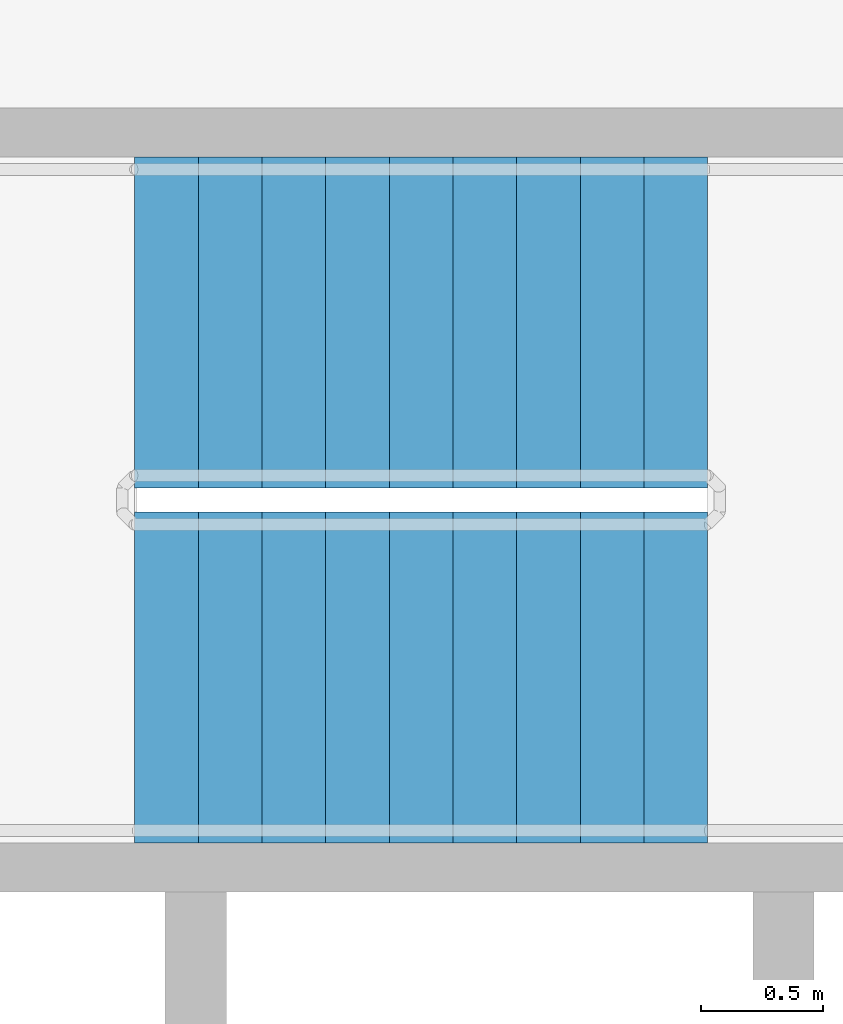
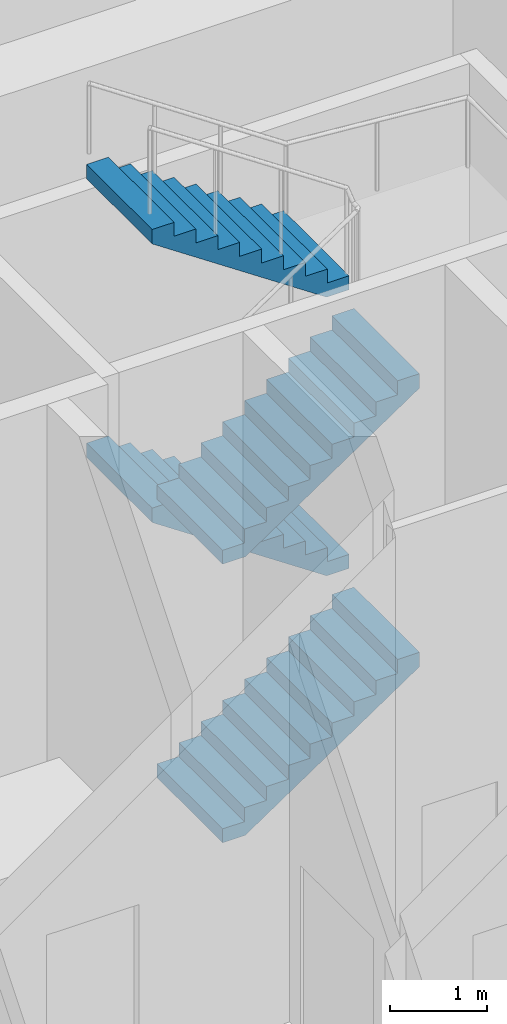
# One storey, part 11 of 16: 4 stair flights, 1 element without a shape of its own.
"""IFC4 building model written with IfcOpenShell, lengths in metres."""

from ifc_helpers import new_model, si_unit, direction, frame, origin, place, context, subcontext, project, spatial, polyline, outline, extrude, source, transform, mapped, material, type_object, element, aggregate, save


model = new_model("IFC4")

# Units and contexts
model_context = context("Model", 3, precision=1e-05, world=origin(), true_north=direction((0.0, 1.0)))
body_context = subcontext(model_context, "Body", "Model", "MODEL_VIEW")
ifc_project = project(units=[si_unit("LENGTHUNIT", "METRE"), si_unit("AREAUNIT", "SQUARE_METRE"), si_unit("VOLUMEUNIT", "CUBIC_METRE"), si_unit("PLANEANGLEUNIT", "RADIAN"), si_unit("MASSUNIT", "GRAM", prefix="KILO")], contexts=[model_context])

# Site, building, storey
site_placement = place(None, origin())
site = spatial("IfcSite", under=ifc_project, at=site_placement, CompositionType="ELEMENT")
building_placement = place(site_placement, origin())
building = spatial("IfcBuilding", under=site, at=building_placement, Name="Embergate Tower", CompositionType="ELEMENT")
storey_placement = place(building_placement, frame((0.0, 0.0, 234.60009765625)))
storey = spatial("IfcBuildingStorey", under=building, at=storey_placement, Name="L54", CompositionType="ELEMENT", Elevation=234.60009765625)

# Stair, stair flights
ifc_material_1 = material(Name="Exit stair")
stair_type = type_object("IfcStairType", Name="Exit stair", PredefinedType="HALF_TURN_STAIR", material=ifc_material_1)
stair_placement = place(storey_placement, origin())
stair = element("IfcStair", 1, at=stair_placement, inside=storey, type_object=stair_type, Name="L54 Exit stair 2", PredefinedType="HALF_TURN_STAIR")
ifc_material_2 = material(Name="Concrete C40", Category="concrete")
stair_flight_type = type_object("IfcStairFlightType", Name="Stair flight reinforced concrete", PredefinedType="STRAIGHT", material=ifc_material_2)
shared_shape = source(origin(), body_context, "Body", "SweptSolid", [
    extrude(outline(polyline([(0.0, 0.0), (0.0, 0.175048828125), (0.260009765625, 0.175048828125), (0.260009765625, 0.35009765625), (0.52001953125, 0.35009765625), (0.52001953125, 0.52490234375), (0.780029296875, 0.52490234375), (0.780029296875, 0.699951171875), (1.0400390625, 0.699951171875), (1.0400390625, 0.875), (1.300048828125, 0.875), (1.300048828125, 1.050048828125), (1.56005859375, 1.050048828125), (1.56005859375, 1.22509765625), (1.820068359375, 1.22509765625), (1.820068359375, 1.39990234375), (2.080078125, 1.39990234375), (2.080078125, 1.574951171875), (2.340087890625, 1.574951171875), (2.340087890625, 1.75), (2.340087890625, 1.394287109375), (0.2685546875, 0.0), (0.0, 0.0)])), frame((0.0, 0.675048828125, 0.0), z_axis=(0.0, -1.0, 0.0), x_axis=(1.0, 0.0, 0.0)), (0.0, 0.0, 1.0), 1.35009765625),
])
stair_flight_1_placement = place(storey_placement, frame((5.75, 6.175048828125, 0.0), z_axis=(0.0, 0.0, 1.0), x_axis=(1.0, 0.0, 0.0)))
stair_flight_1 = element("IfcStairFlight", 2, at=stair_flight_1_placement, type_object=stair_flight_type, Name="ST2 flight 1", NumberOfRisers=10, NumberOfTreads=9, PredefinedType="STRAIGHT", RiserHeight=0.175, TreadLength=0.26, context=body_context, shape_type="MappedRepresentation", body=[
    mapped(shared_shape, transform((0.0, 0.0, 0.0))),
])
stair_flight_2_placement = place(storey_placement, frame((8.090087890625, 7.625, 1.75), z_axis=(0.0, 0.0, 1.0), x_axis=(-1.0, 0.0, 0.0)))
stair_flight_2 = element("IfcStairFlight", 3, at=stair_flight_2_placement, type_object=stair_flight_type, Name="ST2 flight 2", NumberOfRisers=10, NumberOfTreads=9, PredefinedType="STRAIGHT", RiserHeight=0.175, TreadLength=0.26, context=body_context, shape_type="MappedRepresentation", body=[
    mapped(shared_shape, transform((0.0, 0.0, 0.0))),
])
stair_flight_3_placement = place(storey_placement, frame((5.75, 6.175048828125, 3.5), z_axis=(0.0, 0.0, 1.0), x_axis=(1.0, 0.0, 0.0)))
stair_flight_3 = element("IfcStairFlight", 4, at=stair_flight_3_placement, type_object=stair_flight_type, Name="ST2 flight 3", NumberOfRisers=10, NumberOfTreads=9, PredefinedType="STRAIGHT", RiserHeight=0.175, TreadLength=0.26, context=body_context, shape_type="MappedRepresentation", body=[
    mapped(shared_shape, transform((0.0, 0.0, 0.0))),
])
stair_flight_4_placement = place(storey_placement, frame((8.090087890625, 7.625, 5.25), z_axis=(0.0, 0.0, 1.0), x_axis=(-1.0, 0.0, 0.0)))
stair_flight_4 = element("IfcStairFlight", 5, at=stair_flight_4_placement, type_object=stair_flight_type, Name="ST2 flight 4", NumberOfRisers=10, NumberOfTreads=9, PredefinedType="STRAIGHT", RiserHeight=0.175, TreadLength=0.26, context=body_context, shape_type="MappedRepresentation", body=[
    mapped(shared_shape, transform((0.0, 0.0, 0.0))),
])
aggregate(stair, [stair_flight_1, stair_flight_2, stair_flight_3, stair_flight_4])

save(model, "model.ifc")
